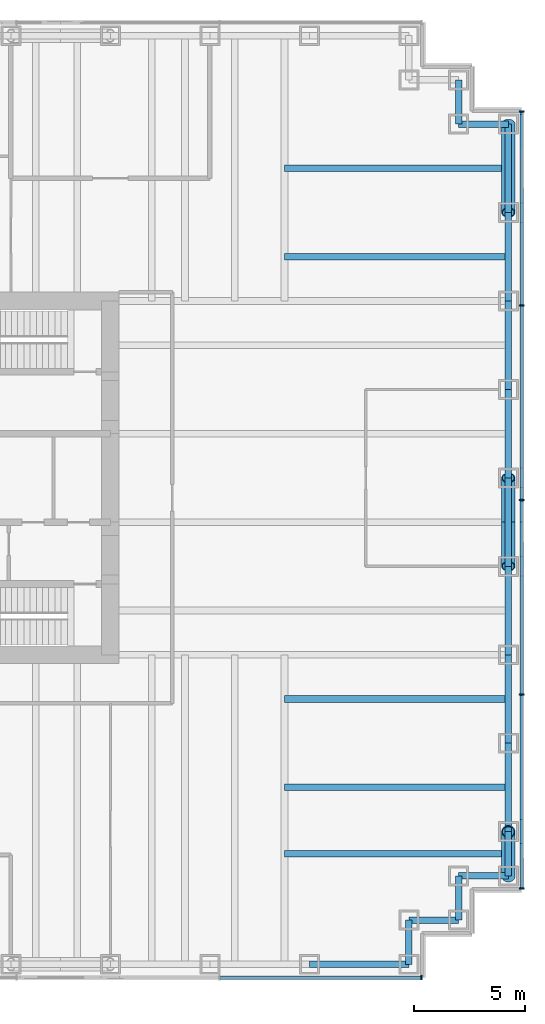
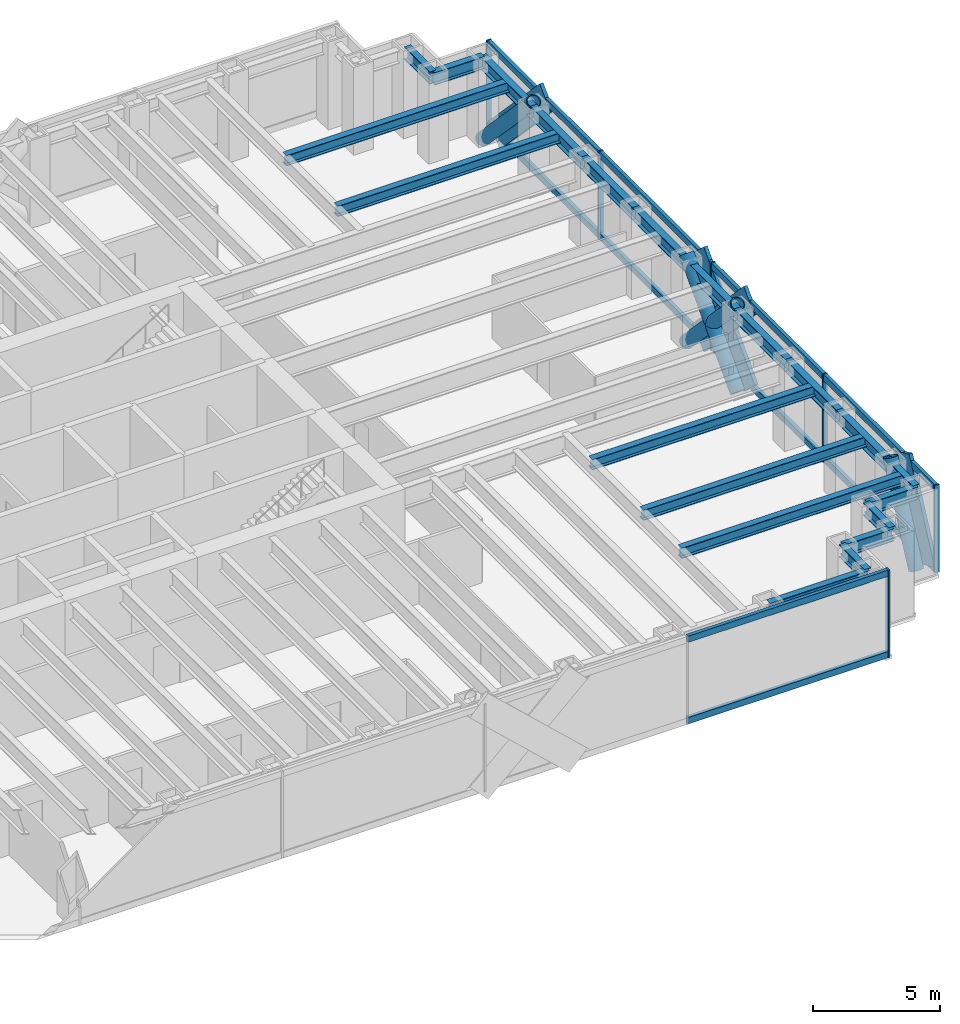
# One storey, part 7 of 14: 24 members, 21 beams, 2 elements without a shape of their own.
"""IFC4 building model written with IfcOpenShell, lengths in metres."""

from ifc_helpers import new_model, si_unit, direction, frame, origin, origin_2d, place, context, subcontext, project, spatial, rectangle, hollow_circle, i_section, extrude, material, material_profile, profile_set, type_object, element, aggregate, save


model = new_model("IFC4")

# Units and contexts
model_context = context("Model", 3, precision=1e-05, world=origin(), true_north=direction((0.0, 1.0)))
body_context = subcontext(model_context, "Body", "Model", "MODEL_VIEW")
ifc_project = project(units=[si_unit("LENGTHUNIT", "METRE"), si_unit("AREAUNIT", "SQUARE_METRE"), si_unit("VOLUMEUNIT", "CUBIC_METRE"), si_unit("PLANEANGLEUNIT", "RADIAN"), si_unit("MASSUNIT", "GRAM", prefix="KILO")], contexts=[model_context])

# Site, building, storey
site_placement = place(None, origin())
site = spatial("IfcSite", under=ifc_project, at=site_placement, CompositionType="ELEMENT")
building_placement = place(site_placement, origin())
building = spatial("IfcBuilding", under=site, at=building_placement, Name="Rheinbord Bourse Tower", CompositionType="ELEMENT")
storey_placement = place(building_placement, frame((0.0, 0.0, 198.39990234375)))
storey = spatial("IfcBuildingStorey", under=building, at=storey_placement, Name="L44", CompositionType="ELEMENT", Elevation=198.39990234375)

# Curtain wall, members
ifc_material_1 = material(Name="Dark glass and black aluminium", Category="aluminium")
curtain_wall_type = type_object("IfcCurtainWallType", Name="CW2 DARK GLASS CURTAIN WALL", PredefinedType="USERDEFINED", material=ifc_material_1)
curtain_wall_1_placement = place(storey_placement, origin())
curtain_wall_1 = element("IfcCurtainWall", 1, at=curtain_wall_1_placement, inside=storey, type_object=curtain_wall_type, Name="Curtain wall CW2 E L44", ObjectType="UNITISED CURTAIN WALL", PredefinedType="USERDEFINED")
ifc_material_2 = material(Name="Black anodised aluminium", Category="aluminium")
ifc_material_profile_1 = material_profile(ifc_material_2, rectangle(XDim=0.159912109375, YDim=1.2099609375, at=origin_2d()), Name="CW2 DIAGONAL MULLION 1210x160")
ifc_profile_set_1 = profile_set([ifc_material_profile_1], Name="Black anodised aluminium")
member_type_1 = type_object("IfcMemberType", Name="CW2 BLACK DIAGONAL MULLION", PredefinedType="USERDEFINED", material=ifc_profile_set_1)
member_1_placement = place(storey_placement, frame((72.60009765625, 40.0, 0.0), z_axis=(0.0, -0.689638355374, 0.72415394689), x_axis=(1.0, 0.0, 0.0)))
member_1 = element("IfcMember", 2, at=member_1_placement, type_object=member_type_1, Name="CW2 diagonal mullion a", ObjectType="DIAGONAL MULLION", PredefinedType="USERDEFINED", context=body_context, shape_type="SweptSolid", body=[
    extrude(rectangle(XDim=0.159912109375, YDim=1.2099609375, at=origin_2d()), origin(), (0.0, 0.0, 1.0), 5.800048828125),
])
member_2_placement = place(storey_placement, frame((72.60009765625, 6.0, 0.0), z_axis=(0.0, 0.429917283348, 0.902868279141), x_axis=(-1.0, 0.0, 0.0)))
member_2 = element("IfcMember", 3, at=member_2_placement, type_object=member_type_1, Name="CW2 diagonal mullion b", ObjectType="DIAGONAL MULLION", PredefinedType="USERDEFINED", context=body_context, shape_type="SweptSolid", body=[
    extrude(rectangle(XDim=0.159912109375, YDim=1.2099609375, at=origin_2d()), origin(), (0.0, 0.0, 1.0), 4.652099609375),
])
member_3_placement = place(storey_placement, frame((72.60009765625, 24.0, 0.0), z_axis=(0.0, -0.689638355374, 0.72415394689), x_axis=(1.0, 0.0, 0.0)))
member_3 = element("IfcMember", 4, at=member_3_placement, type_object=member_type_1, Name="CW2 diagonal mullion c", ObjectType="DIAGONAL MULLION", PredefinedType="USERDEFINED", context=body_context, shape_type="SweptSolid", body=[
    extrude(rectangle(XDim=0.159912109375, YDim=1.2099609375, at=origin_2d()), origin(), (0.0, 0.0, 1.0), 5.800048828125),
])
member_4_placement = place(storey_placement, frame((72.60009765625, 20.0, 0.0), z_axis=(0.0, 0.689638355374, 0.72415394689), x_axis=(-1.0, 0.0, 0.0)))
member_4 = element("IfcMember", 5, at=member_4_placement, type_object=member_type_1, Name="CW2 diagonal mullion d", ObjectType="DIAGONAL MULLION", PredefinedType="USERDEFINED", context=body_context, shape_type="SweptSolid", body=[
    extrude(rectangle(XDim=0.159912109375, YDim=1.2099609375, at=origin_2d()), origin(), (0.0, 0.0, 1.0), 5.800048828125),
])

# Curtain wall, member
curtain_wall_2_placement = place(storey_placement, origin())
curtain_wall_2 = element("IfcCurtainWall", 6, at=curtain_wall_2_placement, inside=storey, type_object=curtain_wall_type, Name="Curtain wall CW2 S L44", ObjectType="UNITISED CURTAIN WALL", PredefinedType="USERDEFINED")
ifc_material_3 = material(Name="Black anodised aluminium", Category="aluminium")
ifc_material_profile_2 = material_profile(ifc_material_3, rectangle(XDim=0.219970703125, YDim=0.070068359375, at=origin_2d()), Name="CW2 MULLION 70x220")
ifc_profile_set_2 = profile_set([ifc_material_profile_2], Name="Black anodised aluminium")
member_type_2 = type_object("IfcMemberType", Name="CW2 BLACK MULLION", PredefinedType="MULLION", material=ifc_profile_set_2)
member_5_placement = place(storey_placement, frame((68.06494140625, 1.39990234375, 0.0), z_axis=(0.0, 0.0, 1.0), x_axis=(0.0, 1.0, 0.0)))
member_5 = element("IfcMember", 7, at=member_5_placement, type_object=member_type_2, Name="CW2 mullion 8", PredefinedType="MULLION", context=body_context, shape_type="SweptSolid", body=[
    extrude(rectangle(XDim=0.219970703125, YDim=0.070068359375, at=origin_2d()), origin(), (0.0, 0.0, 1.0), 4.2001953125),
])

# Member
member_6_placement = place(storey_placement, frame((72.60009765625, 5.43505859375, 0.0), z_axis=(0.0, 0.0, 1.0), x_axis=(-1.0, 0.0, 0.0)))
member_6 = element("IfcMember", 8, at=member_6_placement, type_object=member_type_2, Name="CW2 mullion 1", PredefinedType="MULLION", context=body_context, shape_type="SweptSolid", body=[
    extrude(rectangle(XDim=0.219970703125, YDim=0.070068359375, at=origin_2d()), origin(), (0.0, 0.0, 1.0), 4.2001953125),
])

member_7_placement = place(storey_placement, frame((72.60009765625, 14.199951171875, 0.0), z_axis=(0.0, 0.0, 1.0), x_axis=(-1.0, 0.0, 0.0)))
member_7 = element("IfcMember", 9, at=member_7_placement, type_object=member_type_2, Name="CW2 mullion 2", PredefinedType="MULLION", context=body_context, shape_type="SweptSolid", body=[
    extrude(rectangle(XDim=0.219970703125, YDim=0.070068359375, at=origin_2d()), origin(), (0.0, 0.0, 1.0), 4.2001953125),
])

member_8_placement = place(storey_placement, frame((72.60009765625, 23.0, 0.0), z_axis=(0.0, 0.0, 1.0), x_axis=(-1.0, 0.0, 0.0)))
member_8 = element("IfcMember", 10, at=member_8_placement, type_object=member_type_2, Name="CW2 mullion 3", PredefinedType="MULLION", context=body_context, shape_type="SweptSolid", body=[
    extrude(rectangle(XDim=0.219970703125, YDim=0.070068359375, at=origin_2d()), origin(), (0.0, 0.0, 1.0), 4.2001953125),
])

member_9_placement = place(storey_placement, frame((72.60009765625, 31.800048828125, 0.0), z_axis=(0.0, 0.0, 1.0), x_axis=(-1.0, 0.0, 0.0)))
member_9 = element("IfcMember", 11, at=member_9_placement, type_object=member_type_2, Name="CW2 mullion 4", PredefinedType="MULLION", context=body_context, shape_type="SweptSolid", body=[
    extrude(rectangle(XDim=0.219970703125, YDim=0.070068359375, at=origin_2d()), origin(), (0.0, 0.0, 1.0), 4.2001953125),
])

member_10_placement = place(storey_placement, frame((72.60009765625, 40.56494140625, 0.0), z_axis=(0.0, 0.0, 1.0), x_axis=(-1.0, 0.0, 0.0)))
member_10 = element("IfcMember", 12, at=member_10_placement, type_object=member_type_2, Name="CW2 mullion 5", PredefinedType="MULLION", context=body_context, shape_type="SweptSolid", body=[
    extrude(rectangle(XDim=0.219970703125, YDim=0.070068359375, at=origin_2d()), origin(), (0.0, 0.0, 1.0), 4.2001953125),
])

ifc_material_4 = material(Name="Black anodised aluminium", Category="aluminium")
ifc_material_profile_3 = material_profile(ifc_material_4, rectangle(XDim=0.159912109375, YDim=0.300048828125, at=origin_2d()), Name="CW2 TRANSOM 300x160")
ifc_profile_set_3 = profile_set([ifc_material_profile_3], Name="Black anodised aluminium")
member_type_3 = type_object("IfcMemberType", Name="CW2 BLACK TRANSOM", PredefinedType="USERDEFINED", material=ifc_profile_set_3)
member_11_placement = place(storey_placement, frame((58.963623046875, 1.39990234375, 0.150146484375), z_axis=(1.0, 0.0, 0.0), x_axis=(0.0, 1.0, 0.0)))
member_11 = element("IfcMember", 13, at=member_11_placement, type_object=member_type_3, Name="CW2 transom 7.1", ObjectType="TRANSOM", PredefinedType="USERDEFINED", context=body_context, shape_type="SweptSolid", body=[
    extrude(rectangle(XDim=0.159912109375, YDim=0.300048828125, at=origin_2d()), origin(), (0.0, 0.0, 1.0), 9.06640625),
])

member_12_placement = place(storey_placement, frame((58.963623046875, 1.39990234375, 4.050048828125), z_axis=(1.0, 0.0, 0.0), x_axis=(0.0, 1.0, 0.0)))
member_12 = element("IfcMember", 14, at=member_12_placement, type_object=member_type_3, Name="CW2 transom 7.2", ObjectType="TRANSOM", PredefinedType="USERDEFINED", context=body_context, shape_type="SweptSolid", body=[
    extrude(rectangle(XDim=0.159912109375, YDim=0.300048828125, at=origin_2d()), origin(), (0.0, 0.0, 1.0), 9.06640625),
])

aggregate(curtain_wall_2, [member_5, member_11, member_12])

member_13_placement = place(storey_placement, frame((72.60009765625, 5.469970703125, 0.150146484375), z_axis=(0.0, 1.0, 0.0), x_axis=(-1.0, 0.0, 0.0)))
member_13 = element("IfcMember", 15, at=member_13_placement, type_object=member_type_3, Name="CW2 transom 1.1", ObjectType="TRANSOM", PredefinedType="USERDEFINED", context=body_context, shape_type="SweptSolid", body=[
    extrude(rectangle(XDim=0.159912109375, YDim=0.300048828125, at=origin_2d()), origin(), (0.0, 0.0, 1.0), 8.695068359375),
])

member_14_placement = place(storey_placement, frame((72.60009765625, 5.469970703125, 4.050048828125), z_axis=(0.0, 1.0, 0.0), x_axis=(-1.0, 0.0, 0.0)))
member_14 = element("IfcMember", 16, at=member_14_placement, type_object=member_type_3, Name="CW2 transom 1.2", ObjectType="TRANSOM", PredefinedType="USERDEFINED", context=body_context, shape_type="SweptSolid", body=[
    extrude(rectangle(XDim=0.159912109375, YDim=0.300048828125, at=origin_2d()), origin(), (0.0, 0.0, 1.0), 8.695068359375),
])

member_15_placement = place(storey_placement, frame((72.60009765625, 14.235107421875, 0.150146484375), z_axis=(0.0, 1.0, 0.0), x_axis=(-1.0, 0.0, 0.0)))
member_15 = element("IfcMember", 17, at=member_15_placement, type_object=member_type_3, Name="CW2 transom 2.1", ObjectType="TRANSOM", PredefinedType="USERDEFINED", context=body_context, shape_type="SweptSolid", body=[
    extrude(rectangle(XDim=0.159912109375, YDim=0.300048828125, at=origin_2d()), origin(), (0.0, 0.0, 1.0), 8.72998046875),
])

member_16_placement = place(storey_placement, frame((72.60009765625, 14.235107421875, 4.050048828125), z_axis=(0.0, 1.0, 0.0), x_axis=(-1.0, 0.0, 0.0)))
member_16 = element("IfcMember", 18, at=member_16_placement, type_object=member_type_3, Name="CW2 transom 2.2", ObjectType="TRANSOM", PredefinedType="USERDEFINED", context=body_context, shape_type="SweptSolid", body=[
    extrude(rectangle(XDim=0.159912109375, YDim=0.300048828125, at=origin_2d()), origin(), (0.0, 0.0, 1.0), 8.72998046875),
])

member_17_placement = place(storey_placement, frame((72.60009765625, 23.034912109375, 0.150146484375), z_axis=(0.0, 1.0, 0.0), x_axis=(-1.0, 0.0, 0.0)))
member_17 = element("IfcMember", 19, at=member_17_placement, type_object=member_type_3, Name="CW2 transom 3.1", ObjectType="TRANSOM", PredefinedType="USERDEFINED", context=body_context, shape_type="SweptSolid", body=[
    extrude(rectangle(XDim=0.159912109375, YDim=0.300048828125, at=origin_2d()), origin(), (0.0, 0.0, 1.0), 8.72998046875),
])

member_18_placement = place(storey_placement, frame((72.60009765625, 23.034912109375, 4.050048828125), z_axis=(0.0, 1.0, 0.0), x_axis=(-1.0, 0.0, 0.0)))
member_18 = element("IfcMember", 20, at=member_18_placement, type_object=member_type_3, Name="CW2 transom 3.2", ObjectType="TRANSOM", PredefinedType="USERDEFINED", context=body_context, shape_type="SweptSolid", body=[
    extrude(rectangle(XDim=0.159912109375, YDim=0.300048828125, at=origin_2d()), origin(), (0.0, 0.0, 1.0), 8.72998046875),
])

member_19_placement = place(storey_placement, frame((72.60009765625, 31.8349609375, 0.150146484375), z_axis=(0.0, 1.0, 0.0), x_axis=(-1.0, 0.0, 0.0)))
member_19 = element("IfcMember", 21, at=member_19_placement, type_object=member_type_3, Name="CW2 transom 4.1", ObjectType="TRANSOM", PredefinedType="USERDEFINED", context=body_context, shape_type="SweptSolid", body=[
    extrude(rectangle(XDim=0.159912109375, YDim=0.300048828125, at=origin_2d()), origin(), (0.0, 0.0, 1.0), 8.695068359375),
])

member_20_placement = place(storey_placement, frame((72.60009765625, 31.8349609375, 4.050048828125), z_axis=(0.0, 1.0, 0.0), x_axis=(-1.0, 0.0, 0.0)))
member_20 = element("IfcMember", 22, at=member_20_placement, type_object=member_type_3, Name="CW2 transom 4.2", ObjectType="TRANSOM", PredefinedType="USERDEFINED", context=body_context, shape_type="SweptSolid", body=[
    extrude(rectangle(XDim=0.159912109375, YDim=0.300048828125, at=origin_2d()), origin(), (0.0, 0.0, 1.0), 8.695068359375),
])

aggregate(curtain_wall_1, [member_6, member_7, member_8, member_9, member_10, member_13, member_14, member_15, member_16, member_17, member_18, member_19, member_20, member_1, member_2, member_3, member_4])

# Members
ifc_material_5 = material(Name="Steel S460", Category="steel")
ifc_material_profile_4 = material_profile(ifc_material_5, hollow_circle(Radius=0.304931640625, WallThickness=0.0400390625, at=origin_2d()), Name="CHS 610x40")
ifc_profile_set_4 = profile_set([ifc_material_profile_4], Name="Steel S460")
member_type_4 = type_object("IfcMemberType", Name="MEGABRACE CHS 610x40", PredefinedType="BRACE", material=ifc_profile_set_4)
member_21_placement = place(storey_placement, frame((72.0, 40.0, 0.0), z_axis=(0.0, -0.689638355374, 0.72415394689), x_axis=(1.0, 0.0, 0.0)))
element("IfcMember", 23, at=member_21_placement, inside=storey, type_object=member_type_4, Name="Megabrace E face line a L44", PredefinedType="BRACE", context=body_context, shape_type="SweptSolid", body=[
    extrude(hollow_circle(Radius=0.304931640625, WallThickness=0.0400390625, at=origin_2d()), origin(), (0.0, 0.0, 1.0), 5.800048828125),
])
member_22_placement = place(storey_placement, frame((72.0, 6.0, 0.0), z_axis=(0.0, 0.429917283348, 0.902868279141), x_axis=(-1.0, 0.0, 0.0)))
element("IfcMember", 24, at=member_22_placement, inside=storey, type_object=member_type_4, Name="Megabrace E face line b L44", PredefinedType="BRACE", context=body_context, shape_type="SweptSolid", body=[
    extrude(hollow_circle(Radius=0.304931640625, WallThickness=0.0400390625, at=origin_2d()), origin(), (0.0, 0.0, 1.0), 4.652099609375),
])
for number, where, z_axis, x_axis, name in (
    (25, (72.0, 24.0, 0.0), (0.0, -0.689638355374, 0.72415394689), (1.0, 0.0, 0.0), "Megabrace E face line c L44"),
    (26, (72.0, 20.0, 0.0), (0.0, 0.689638355374, 0.72415394689), (-1.0, 0.0, 0.0), "Megabrace E face line d L44"),
):
    element("IfcMember", number, at=place(storey_placement, frame(where, z_axis=z_axis, x_axis=x_axis)), inside=storey, type_object=member_type_4, Name=name, PredefinedType="BRACE", context=body_context, shape_type="SweptSolid", body=[
        extrude(hollow_circle(Radius=0.304931640625, WallThickness=0.0400390625, at=origin_2d()), origin(), (0.0, 0.0, 1.0), 5.800048828125),
    ])

# Beams
ifc_material_6 = material(Name="Steel S460", Category="steel")
ifc_material_profile_5 = material_profile(ifc_material_6, i_section(OverallWidth=0.300048828125, OverallDepth=0.60009765625, WebThickness=0.015380859375, FlangeThickness=0.030029296875, at=origin_2d()), Name="HEB 600")
ifc_profile_set_5 = profile_set([ifc_material_profile_5], Name="Steel S460")
beam_type_1 = type_object("IfcBeamType", Name="SPANDREL HEB 600", PredefinedType="SPANDREL", material=ifc_profile_set_5)
beam_1_placement = place(storey_placement, frame((63.0, 2.0, 3.739990234375), z_axis=(1.0, 0.0, 0.0), x_axis=(0.0, 1.0, 0.0)))
element("IfcBeam", 27, at=beam_1_placement, inside=storey, type_object=beam_type_1, Name="Spandrel S-63-SE-E under L45", PredefinedType="SPANDREL", context=body_context, shape_type="SweptSolid", body=[
    extrude(i_section(OverallWidth=0.300048828125, OverallDepth=0.60009765625, WebThickness=0.015380859375, FlangeThickness=0.030029296875, at=origin_2d()), origin(), (0.0, 0.0, 1.0), 4.5),
])
beam_2_placement = place(storey_placement, frame((67.5, 2.0, 3.739990234375), z_axis=(0.0, 1.0, 0.0), x_axis=(-1.0, 0.0, 0.0)))
element("IfcBeam", 28, at=beam_2_placement, inside=storey, type_object=beam_type_1, Name="Spandrel SE-E-SE-D under L45", PredefinedType="SPANDREL", context=body_context, shape_type="SweptSolid", body=[
    extrude(i_section(OverallWidth=0.300048828125, OverallDepth=0.60009765625, WebThickness=0.015380859375, FlangeThickness=0.030029296875, at=origin_2d()), origin(), (0.0, 0.0, 1.0), 2.0),
])
beam_3_placement = place(storey_placement, frame((67.5, 4.0, 3.739990234375), z_axis=(1.0, 0.0, 0.0), x_axis=(0.0, 1.0, 0.0)))
element("IfcBeam", 29, at=beam_3_placement, inside=storey, type_object=beam_type_1, Name="Spandrel SE-D-SE-C under L45", PredefinedType="SPANDREL", context=body_context, shape_type="SweptSolid", body=[
    extrude(i_section(OverallWidth=0.300048828125, OverallDepth=0.60009765625, WebThickness=0.015380859375, FlangeThickness=0.030029296875, at=origin_2d()), origin(), (0.0, 0.0, 1.0), 2.25),
])
beam_4_placement = place(storey_placement, frame((69.75, 4.0, 3.739990234375), z_axis=(0.0, 1.0, 0.0), x_axis=(-1.0, 0.0, 0.0)))
element("IfcBeam", 30, at=beam_4_placement, inside=storey, type_object=beam_type_1, Name="Spandrel SE-C-SE-B under L45", PredefinedType="SPANDREL", context=body_context, shape_type="SweptSolid", body=[
    extrude(i_section(OverallWidth=0.300048828125, OverallDepth=0.60009765625, WebThickness=0.015380859375, FlangeThickness=0.030029296875, at=origin_2d()), origin(), (0.0, 0.0, 1.0), 2.0),
])
beam_5_placement = place(storey_placement, frame((69.75, 6.0, 3.739990234375), z_axis=(1.0, 0.0, 0.0), x_axis=(0.0, 1.0, 0.0)))
element("IfcBeam", 31, at=beam_5_placement, inside=storey, type_object=beam_type_1, Name="Spandrel SE-B-SE-A under L45", PredefinedType="SPANDREL", context=body_context, shape_type="SweptSolid", body=[
    extrude(i_section(OverallWidth=0.300048828125, OverallDepth=0.60009765625, WebThickness=0.015380859375, FlangeThickness=0.030029296875, at=origin_2d()), origin(), (0.0, 0.0, 1.0), 2.25),
])
beam_6_placement = place(storey_placement, frame((72.0, 6.0, 3.739990234375), z_axis=(0.0, 1.0, 0.0), x_axis=(-1.0, 0.0, 0.0)))
element("IfcBeam", 32, at=beam_6_placement, inside=storey, type_object=beam_type_1, Name="Spandrel SE-A-E-8 under L45", PredefinedType="SPANDREL", context=body_context, shape_type="SweptSolid", body=[
    extrude(i_section(OverallWidth=0.300048828125, OverallDepth=0.60009765625, WebThickness=0.015380859375, FlangeThickness=0.030029296875, at=origin_2d()), origin(), (0.0, 0.0, 1.0), 2.0),
])
for number, where, z_axis, x_axis, name in (
    (33, (72.0, 8.0, 3.739990234375), (0.0, 1.0, 0.0), (-1.0, 0.0, 0.0), "Spandrel E-8-E-12 under L45"),
    (34, (72.0, 12.0, 3.739990234375), (0.0, 1.0, 0.0), (-1.0, 0.0, 0.0), "Spandrel E-12-E-16 under L45"),
    (35, (72.0, 16.0, 3.739990234375), (0.0, 1.0, 0.0), (-1.0, 0.0, 0.0), "Spandrel E-16-E-20 under L45"),
    (36, (72.0, 20.0, 3.739990234375), (0.0, 1.0, 0.0), (-1.0, 0.0, 0.0), "Spandrel E-20-E-24 under L45"),
    (37, (72.0, 24.0, 3.739990234375), (0.0, 1.0, 0.0), (-1.0, 0.0, 0.0), "Spandrel E-24-E-28 under L45"),
    (38, (72.0, 28.0, 3.739990234375), (0.0, 1.0, 0.0), (-1.0, 0.0, 0.0), "Spandrel E-28-E-32 under L45"),
    (39, (72.0, 32.0, 3.739990234375), (0.0, 1.0, 0.0), (-1.0, 0.0, 0.0), "Spandrel E-32-E-36 under L45"),
    (40, (72.0, 36.0, 3.739990234375), (0.0, 1.0, 0.0), (-1.0, 0.0, 0.0), "Spandrel E-36-NE-A under L45"),
):
    element("IfcBeam", number, at=place(storey_placement, frame(where, z_axis=z_axis, x_axis=x_axis)), inside=storey, type_object=beam_type_1, Name=name, PredefinedType="SPANDREL", context=body_context, shape_type="SweptSolid", body=[
        extrude(i_section(OverallWidth=0.300048828125, OverallDepth=0.60009765625, WebThickness=0.015380859375, FlangeThickness=0.030029296875, at=origin_2d()), origin(), (0.0, 0.0, 1.0), 4.0),
    ])
beam_7_placement = place(storey_placement, frame((72.0, 40.0, 3.739990234375), z_axis=(-1.0, 0.0, 0.0), x_axis=(0.0, -1.0, 0.0)))
element("IfcBeam", 41, at=beam_7_placement, inside=storey, type_object=beam_type_1, Name="Spandrel NE-A-NE-B under L45", PredefinedType="SPANDREL", context=body_context, shape_type="SweptSolid", body=[
    extrude(i_section(OverallWidth=0.300048828125, OverallDepth=0.60009765625, WebThickness=0.015380859375, FlangeThickness=0.030029296875, at=origin_2d()), origin(), (0.0, 0.0, 1.0), 2.25),
])
beam_8_placement = place(storey_placement, frame((69.75, 40.0, 3.739990234375), z_axis=(0.0, 1.0, 0.0), x_axis=(-1.0, 0.0, 0.0)))
element("IfcBeam", 42, at=beam_8_placement, inside=storey, type_object=beam_type_1, Name="Spandrel NE-B-NE-C under L45", PredefinedType="SPANDREL", context=body_context, shape_type="SweptSolid", body=[
    extrude(i_section(OverallWidth=0.300048828125, OverallDepth=0.60009765625, WebThickness=0.015380859375, FlangeThickness=0.030029296875, at=origin_2d()), origin(), (0.0, 0.0, 1.0), 2.0),
])
ifc_material_7 = material(Name="Steel S460", Category="steel")
ifc_material_profile_6 = material_profile(ifc_material_7, i_section(OverallWidth=0.300048828125, OverallDepth=0.5, WebThickness=0.014404296875, FlangeThickness=0.028076171875, at=origin_2d()), Name="HEB 500")
ifc_profile_set_6 = profile_set([ifc_material_profile_6], Name="Steel S460")
beam_type_2 = type_object("IfcBeamType", Name="TIE BEAM HEB 500", PredefinedType="JOIST", material=ifc_profile_set_6)
for number, where, z_axis, x_axis, name in (
    (43, (61.875, 7.0, 3.7900390625), (1.0, 0.0, 0.0), (0.0, 1.0, 0.0), "Tie east 7 L45"),
    (44, (61.875, 10.0, 3.7900390625), (1.0, 0.0, 0.0), (0.0, 1.0, 0.0), "Tie east 10 L45"),
    (45, (61.875, 14.0, 3.7900390625), (1.0, 0.0, 0.0), (0.0, 1.0, 0.0), "Tie east 14 L45"),
    (46, (61.875, 34.0, 3.7900390625), (1.0, 0.0, 0.0), (0.0, 1.0, 0.0), "Tie east 34 L45"),
    (47, (61.875, 38.0, 3.7900390625), (1.0, 0.0, 0.0), (0.0, 1.0, 0.0), "Tie east 38 L45"),
):
    element("IfcBeam", number, at=place(storey_placement, frame(where, z_axis=z_axis, x_axis=x_axis)), inside=storey, type_object=beam_type_2, Name=name, PredefinedType="JOIST", context=body_context, shape_type="SweptSolid", body=[
        extrude(i_section(OverallWidth=0.300048828125, OverallDepth=0.5, WebThickness=0.014404296875, FlangeThickness=0.028076171875, at=origin_2d()), origin(), (0.0, 0.0, 1.0), 10.125),
    ])

save(model, "model.ifc")
